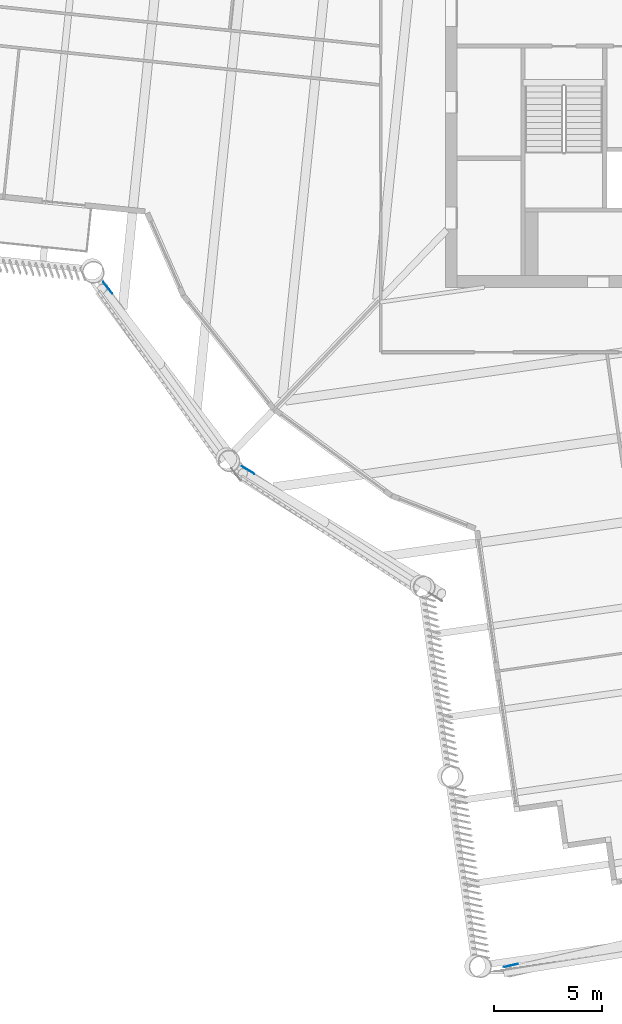
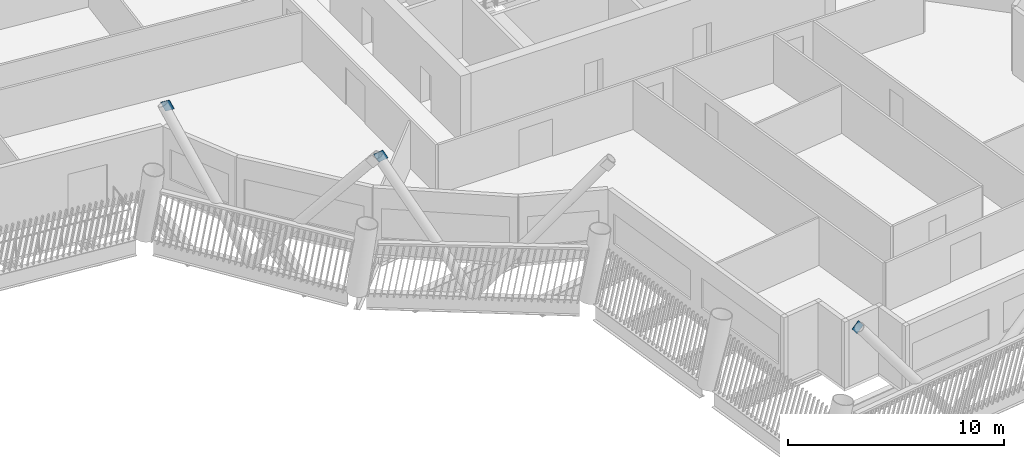
# One storey, part 10 of 22: 3 discrete accessories.
"""IFC4 building model written with IfcOpenShell, lengths in metres."""

from ifc_helpers import new_model, si_unit, direction, frame, origin, origin_2d, place, context, subcontext, project, spatial, rectangle, extrude, material, material_profile, profile_set, type_object, element, save


model = new_model("IFC4")

# Units and contexts
model_context = context("Model", 3, precision=1e-05, world=origin(), true_north=direction((0.0, 1.0)))
body_context = subcontext(model_context, "Body", "Model", "MODEL_VIEW")
ifc_project = project(units=[si_unit("LENGTHUNIT", "METRE"), si_unit("AREAUNIT", "SQUARE_METRE"), si_unit("VOLUMEUNIT", "CUBIC_METRE"), si_unit("PLANEANGLEUNIT", "RADIAN"), si_unit("MASSUNIT", "GRAM", prefix="KILO")], contexts=[model_context])

# Site, building, storey
site_placement = place(None, origin())
site = spatial("IfcSite", under=ifc_project, at=site_placement, CompositionType="ELEMENT")
building_placement = place(site_placement, origin())
building = spatial("IfcBuilding", under=site, at=building_placement, Name="Tarsis Ring Headquarters", CompositionType="ELEMENT")
storey_placement = place(building_placement, frame((0.0, 0.0, 263.0)))
storey = spatial("IfcBuildingStorey", under=building, at=storey_placement, Name="L61", CompositionType="ELEMENT", Elevation=263.0)

# Discrete accessories
ifc_material = material(Name="Structural steel S355", Category="steel")
ifc_material_profile = material_profile(ifc_material, rectangle(XDim=0.02490234375, YDim=0.5, at=origin_2d()), Name="PL 25x500")
ifc_profile_set = profile_set([ifc_material_profile], Name="Structural steel S355")
discrete_accessory_type = type_object("IfcDiscreteAccessoryType", Name="Gusset plate Exo brace 25", PredefinedType="BRACKET", material=ifc_profile_set)
for number, where, z_axis, x_axis, name in (
    (1, (-19.2548828125, -21.3994140625, 7.800048828125), (0.420383546758, -0.252425428193, -0.87152686523), (0.51478858501, 0.857317159949, 0.0), "Gusset plate GP5"),
    (2, (-7.108642578125, -44.474853515625, 7.800048828125), (0.588886001583, 0.134769930711, -0.796900459854), (-0.223088161862, 0.974798272484, 0.0), "Gusset plate GP5"),
    (3, (-25.728759765625, -12.911865234375, 7.800048828125), (0.299771026557, -0.388140009956, -0.871484173298), (0.791438232494, 0.611249150631, 0.0), "Gusset plate GP5"),
):
    element("IfcDiscreteAccessory", number, at=place(storey_placement, frame(where, z_axis=z_axis, x_axis=x_axis)), inside=storey, type_object=discrete_accessory_type, Name=name, PredefinedType="BRACKET", context=body_context, shape_type="SweptSolid", body=[
        extrude(rectangle(XDim=0.02490234375, YDim=0.5, at=origin_2d()), origin(), (0.0, 0.0, 1.0), 0.5),
    ])

save(model, "model.ifc")
